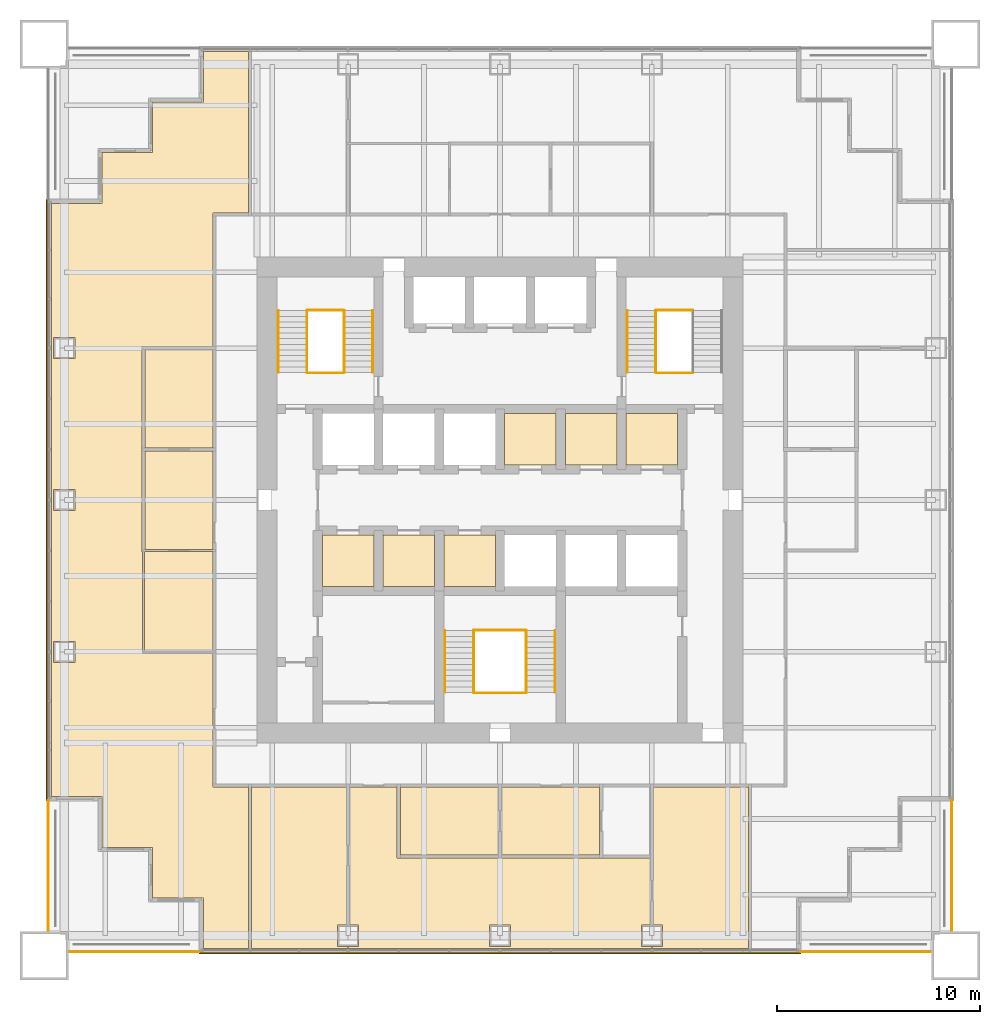
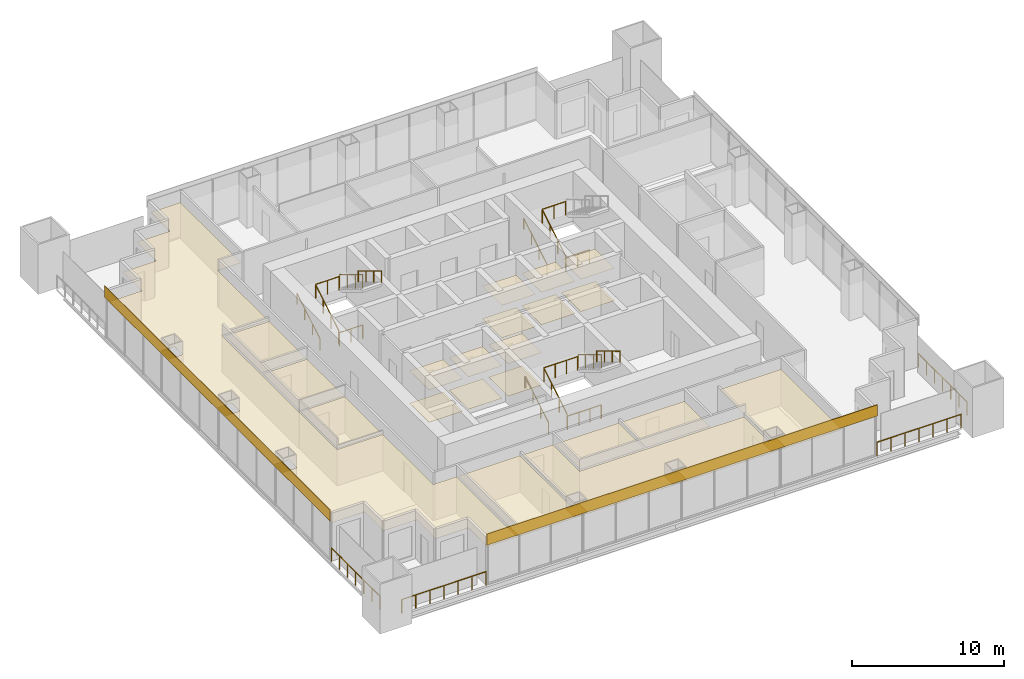
# One storey, part 12 of 13: 23 coverings, 20 railings.
"""IFC4 building model written with IfcOpenShell, lengths in metres."""

from ifc_helpers import new_model, si_unit, direction, frame, origin, origin_2d, place, context, subcontext, project, spatial, polyline, rectangle, circle, outline, extrude, material, layer, layer_set, type_object, element, save


model = new_model("IFC4")

# Units and contexts
model_context = context("Model", 3, precision=1e-05, world=origin(), true_north=direction((0.0, 1.0)))
body_context = subcontext(model_context, "Body", "Model", "MODEL_VIEW")
ifc_project = project(units=[si_unit("LENGTHUNIT", "METRE"), si_unit("AREAUNIT", "SQUARE_METRE"), si_unit("VOLUMEUNIT", "CUBIC_METRE"), si_unit("PLANEANGLEUNIT", "RADIAN"), si_unit("MASSUNIT", "GRAM", prefix="KILO")], contexts=[model_context])

# Site, building, storey
site_placement = place(None, origin())
site = spatial("IfcSite", under=ifc_project, at=site_placement, CompositionType="ELEMENT")
building_placement = place(site_placement, origin())
building = spatial("IfcBuilding", under=site, at=building_placement, Name="Tarangal Relay Tower", CompositionType="ELEMENT")
storey_placement = place(building_placement, frame((0.0, 0.0, 209.89990234375)))
storey = spatial("IfcBuildingStorey", under=building, at=storey_placement, Name="L44", CompositionType="ELEMENT", Elevation=209.89990234375)

# Coverings
ifc_material_1 = material(Name="Anti-static vinyl flooring", Category="plastic")
ifc_layer_1 = layer(ifc_material_1, 0.010009765625)
ifc_layer_set_1 = layer_set([ifc_layer_1], Name="Anti-static vinyl floor")
covering_type_1 = type_object("IfcCoveringType", Name="Anti-static vinyl floor", PredefinedType="FLOORING", material=ifc_layer_set_1)
covering_1_placement = place(storey_placement, origin())
element("IfcCovering", 1, at=covering_1_placement, inside=storey, type_object=covering_type_1, Name="Floor finish FL1 L44-T1", PredefinedType="FLOORING", context=body_context, shape_type="SweptSolid", body=[
    extrude(outline(polyline([(0.22509765625, 1.72509765625), (2.77490234375, 1.72509765625), (2.77490234375, 4.27490234375), (0.22509765625, 4.27490234375), (0.22509765625, 1.72509765625)])), origin(), (0.0, 0.0, 1.0), 0.010009765625),
])
covering_2_placement = place(storey_placement, origin())
element("IfcCovering", 2, at=covering_2_placement, inside=storey, type_object=covering_type_1, Name="Floor finish FL1 L44-T2", PredefinedType="FLOORING", context=body_context, shape_type="SweptSolid", body=[
    extrude(outline(polyline([(3.22509765625, 1.72509765625), (5.77490234375, 1.72509765625), (5.77490234375, 4.27490234375), (3.22509765625, 4.27490234375), (3.22509765625, 1.72509765625)])), origin(), (0.0, 0.0, 1.0), 0.010009765625),
])
covering_3_placement = place(storey_placement, origin())
element("IfcCovering", 3, at=covering_3_placement, inside=storey, type_object=covering_type_1, Name="Floor finish FL1 L44-T3", PredefinedType="FLOORING", context=body_context, shape_type="SweptSolid", body=[
    extrude(outline(polyline([(6.22509765625, 1.72509765625), (8.77490234375, 1.72509765625), (8.77490234375, 4.27490234375), (6.22509765625, 4.27490234375), (6.22509765625, 1.72509765625)])), origin(), (0.0, 0.0, 1.0), 0.010009765625),
])
covering_4_placement = place(storey_placement, origin())
element("IfcCovering", 4, at=covering_4_placement, inside=storey, type_object=covering_type_1, Name="Floor finish FL1 L44-S1", PredefinedType="FLOORING", context=body_context, shape_type="SweptSolid", body=[
    extrude(outline(polyline([(-8.77490234375, -4.27490234375), (-6.22509765625, -4.27490234375), (-6.22509765625, -1.72509765625), (-8.77490234375, -1.72509765625), (-8.77490234375, -4.27490234375)])), origin(), (0.0, 0.0, 1.0), 0.010009765625),
])
covering_5_placement = place(storey_placement, origin())
element("IfcCovering", 5, at=covering_5_placement, inside=storey, type_object=covering_type_1, Name="Floor finish FL1 L44-S2", PredefinedType="FLOORING", context=body_context, shape_type="SweptSolid", body=[
    extrude(outline(polyline([(-5.77490234375, -4.27490234375), (-3.22509765625, -4.27490234375), (-3.22509765625, -1.72509765625), (-5.77490234375, -1.72509765625), (-5.77490234375, -4.27490234375)])), origin(), (0.0, 0.0, 1.0), 0.010009765625),
])
covering_6_placement = place(storey_placement, origin())
element("IfcCovering", 6, at=covering_6_placement, inside=storey, type_object=covering_type_1, Name="Floor finish FL1 L44-S3", PredefinedType="FLOORING", context=body_context, shape_type="SweptSolid", body=[
    extrude(outline(polyline([(-2.77490234375, -4.27490234375), (-0.22509765625, -4.27490234375), (-0.22509765625, -1.72509765625), (-2.77490234375, -1.72509765625), (-2.77490234375, -4.27490234375)])), origin(), (0.0, 0.0, 1.0), 0.010009765625),
])
ifc_material_2 = material(Name="Black anodised aluminium cladding", Category="aluminium")
ifc_layer_2 = layer(ifc_material_2, 0.050048828125)
ifc_layer_set_2 = layer_set([ifc_layer_2], Name="Black metal spandrel band")
covering_type_2 = type_object("IfcCoveringType", Name="Black metal spandrel band", PredefinedType="CLADDING", material=ifc_layer_set_2)
for number, where, z_axis, x_axis, name in (
    (7, (0.0, -22.375, 3.250244140625), (0.0, 0.0, 1.0), (-1.0, 0.0, 0.0), "Spandrel band SB1 S L44"),
    (8, (-22.375, 0.0, 3.250244140625), (0.0, 0.0, 1.0), (0.0, 1.0, 0.0), "Spandrel band SB1 W L44"),
):
    element("IfcCovering", number, at=place(storey_placement, frame(where, z_axis=z_axis, x_axis=x_axis)), inside=storey, type_object=covering_type_2, Name=name, PredefinedType="CLADDING", context=body_context, shape_type="SweptSolid", body=[
        extrude(rectangle(XDim=29.699951171875, YDim=0.050048828125, at=origin_2d()), origin(), (0.0, 0.0, 1.0), 0.89990234375),
    ])

# Railings
ifc_material_3 = material(Name="Steel guard, black finish", Category="steel")
railing_type_1 = type_object("IfcRailingType", Name="Stair guard 1100", PredefinedType="GUARDRAIL", material=ifc_material_3)
railing_1_placement = place(storey_placement, frame((-9.530029296875, 6.300048828125, 0.166748046875)))
element("IfcRailing", 9, at=railing_1_placement, inside=storey, type_object=railing_type_1, Name="Stair ST-A guard GR1 L44 flight 1", PredefinedType="GUARDRAIL", context=body_context, shape_type="SweptSolid", body=[
    extrude(circle(Radius=0.02392578125, at=origin_2d()), frame((0.0, 0.0, 1.076171875), z_axis=(0.0, 0.85685617095, 0.515555527858), x_axis=(-1.0, 0.0, 0.0)), (0.0, 0.0, 1.0), 3.555908203125),
    extrude(circle(Radius=0.02099609375, at=origin_2d()), origin(), (0.0, 0.0, 1.0), 1.052001953125),
    extrude(circle(Radius=0.02099609375, at=origin_2d()), frame((0.0, 1.015625, 0.611083984375)), (0.0, 0.0, 1.0), 1.052001953125),
    extrude(circle(Radius=0.02099609375, at=origin_2d()), frame((0.0, 2.03125, 1.22216796875)), (0.0, 0.0, 1.0), 1.052001953125),
    extrude(circle(Radius=0.02099609375, at=origin_2d()), frame((0.0, 3.046875, 1.833251953125)), (0.0, 0.0, 1.0), 1.052001953125),
])
railing_2_placement = place(storey_placement, frame((-7.695068359375, 9.346923828125, 2.166748046875)))
element("IfcRailing", 10, at=railing_2_placement, inside=storey, type_object=railing_type_1, Name="Stair ST-A guard GR1 L44 flight 2", PredefinedType="GUARDRAIL", context=body_context, shape_type="SweptSolid", body=[
    extrude(circle(Radius=0.02392578125, at=origin_2d()), frame((0.0, 0.0, 1.076171875), z_axis=(0.0, -0.85685617095, 0.515555527858), x_axis=(1.0, 0.0, 0.0)), (0.0, 0.0, 1.0), 3.555908203125),
    extrude(circle(Radius=0.02099609375, at=origin_2d()), origin(), (0.0, 0.0, 1.0), 1.052001953125),
    extrude(circle(Radius=0.02099609375, at=origin_2d()), frame((0.0, -1.015625, 0.611083984375)), (0.0, 0.0, 1.0), 1.052001953125),
    extrude(circle(Radius=0.02099609375, at=origin_2d()), frame((0.0, -2.03125, 1.22216796875)), (0.0, 0.0, 1.0), 1.052001953125),
    extrude(circle(Radius=0.02099609375, at=origin_2d()), frame((0.0, -3.046875, 1.833251953125)), (0.0, 0.0, 1.0), 1.052001953125),
])
for number, where, name in (
    (11, (-9.5, 6.27001953125, 0.0), "Stair ST-A landing guard GR1 L44"),
    (12, (-9.5, 9.376953125, 2.0), "Stair ST-A landing guard GR1 L44"),
):
    element("IfcRailing", number, at=place(storey_placement, frame(where)), inside=storey, type_object=railing_type_1, Name=name, PredefinedType="GUARDRAIL", context=body_context, shape_type="SweptSolid", body=[
        extrude(circle(Radius=0.02392578125, at=origin_2d()), frame((0.0, 0.0, 1.076171875), z_axis=(1.0, 0.0, 0.0), x_axis=(0.0, 1.0, 0.0)), (0.0, 0.0, 1.0), 1.77490234375),
        extrude(circle(Radius=0.02099609375, at=origin_2d()), origin(), (0.0, 0.0, 1.0), 1.052001953125),
        extrude(circle(Radius=0.02099609375, at=origin_2d()), frame((0.887451171875, 0.0, 0.0)), (0.0, 0.0, 1.0), 1.052001953125),
        extrude(circle(Radius=0.02099609375, at=origin_2d()), frame((1.77490234375, 0.0, 0.0)), (0.0, 0.0, 1.0), 1.052001953125),
    ])
railing_3_placement = place(storey_placement, frame((7.695068359375, 6.300048828125, 0.166748046875)))
element("IfcRailing", 13, at=railing_3_placement, inside=storey, type_object=railing_type_1, Name="Stair ST-B guard GR1 L44 flight 1", PredefinedType="GUARDRAIL", context=body_context, shape_type="SweptSolid", body=[
    extrude(circle(Radius=0.02392578125, at=origin_2d()), frame((0.0, 0.0, 1.076171875), z_axis=(0.0, 0.85685617095, 0.515555527858), x_axis=(-1.0, 0.0, 0.0)), (0.0, 0.0, 1.0), 3.555908203125),
    extrude(circle(Radius=0.02099609375, at=origin_2d()), origin(), (0.0, 0.0, 1.0), 1.052001953125),
    extrude(circle(Radius=0.02099609375, at=origin_2d()), frame((0.0, 1.015625, 0.611083984375)), (0.0, 0.0, 1.0), 1.052001953125),
    extrude(circle(Radius=0.02099609375, at=origin_2d()), frame((0.0, 2.03125, 1.22216796875)), (0.0, 0.0, 1.0), 1.052001953125),
    extrude(circle(Radius=0.02099609375, at=origin_2d()), frame((0.0, 3.046875, 1.833251953125)), (0.0, 0.0, 1.0), 1.052001953125),
])
for number, where, name in (
    (14, (7.72509765625, 6.27001953125, 0.0), "Stair ST-B landing guard GR1 L44"),
    (15, (7.72509765625, 9.376953125, 2.0), "Stair ST-B landing guard GR1 L44"),
):
    element("IfcRailing", number, at=place(storey_placement, frame(where)), inside=storey, type_object=railing_type_1, Name=name, PredefinedType="GUARDRAIL", context=body_context, shape_type="SweptSolid", body=[
        extrude(circle(Radius=0.02392578125, at=origin_2d()), frame((0.0, 0.0, 1.076171875), z_axis=(1.0, 0.0, 0.0), x_axis=(0.0, 1.0, 0.0)), (0.0, 0.0, 1.0), 1.77490234375),
        extrude(circle(Radius=0.02099609375, at=origin_2d()), origin(), (0.0, 0.0, 1.0), 1.052001953125),
        extrude(circle(Radius=0.02099609375, at=origin_2d()), frame((0.887451171875, 0.0, 0.0)), (0.0, 0.0, 1.0), 1.052001953125),
        extrude(circle(Radius=0.02099609375, at=origin_2d()), frame((1.77490234375, 0.0, 0.0)), (0.0, 0.0, 1.0), 1.052001953125),
    ])
railing_4_placement = place(storey_placement, frame((-1.304931640625, -9.5, 0.166748046875)))
element("IfcRailing", 16, at=railing_4_placement, inside=storey, type_object=railing_type_1, Name="Stair ST-C guard GR1 L44 flight 1", PredefinedType="GUARDRAIL", context=body_context, shape_type="SweptSolid", body=[
    extrude(circle(Radius=0.02392578125, at=origin_2d()), frame((0.0, 0.0, 1.076171875), z_axis=(0.0, 0.856874418557, 0.515525199018), x_axis=(-1.0, 0.0, 0.0)), (0.0, 0.0, 1.0), 3.55615234375),
    extrude(circle(Radius=0.02099609375, at=origin_2d()), origin(), (0.0, 0.0, 1.0), 1.052001953125),
    extrude(circle(Radius=0.02099609375, at=origin_2d()), frame((0.0, 1.015625, 0.611083984375)), (0.0, 0.0, 1.0), 1.052001953125),
    extrude(circle(Radius=0.02099609375, at=origin_2d()), frame((0.0, 2.031494140625, 1.22216796875)), (0.0, 0.0, 1.0), 1.052001953125),
    extrude(circle(Radius=0.02099609375, at=origin_2d()), frame((0.0, 3.047119140625, 1.833251953125)), (0.0, 0.0, 1.0), 1.052001953125),
])
railing_5_placement = place(storey_placement, frame((1.304931640625, -6.452880859375, 2.166748046875)))
element("IfcRailing", 17, at=railing_5_placement, inside=storey, type_object=railing_type_1, Name="Stair ST-C guard GR1 L44 flight 2", PredefinedType="GUARDRAIL", context=body_context, shape_type="SweptSolid", body=[
    extrude(circle(Radius=0.02392578125, at=origin_2d()), frame((0.0, 0.0, 1.076171875), z_axis=(0.0, -0.856874418557, 0.515525199018), x_axis=(1.0, 0.0, 0.0)), (0.0, 0.0, 1.0), 3.55615234375),
    extrude(circle(Radius=0.02099609375, at=origin_2d()), origin(), (0.0, 0.0, 1.0), 1.052001953125),
    extrude(circle(Radius=0.02099609375, at=origin_2d()), frame((0.0, -1.015625, 0.611083984375)), (0.0, 0.0, 1.0), 1.052001953125),
    extrude(circle(Radius=0.02099609375, at=origin_2d()), frame((0.0, -2.031494140625, 1.22216796875)), (0.0, 0.0, 1.0), 1.052001953125),
    extrude(circle(Radius=0.02099609375, at=origin_2d()), frame((0.0, -3.047119140625, 1.833251953125)), (0.0, 0.0, 1.0), 1.052001953125),
])
for number, where, name in (
    (18, (-1.27490234375, -9.530029296875, 0.0), "Stair ST-C landing guard GR1 L44"),
    (19, (-1.27490234375, -6.423095703125, 2.0), "Stair ST-C landing guard GR1 L44"),
):
    element("IfcRailing", number, at=place(storey_placement, frame(where)), inside=storey, type_object=railing_type_1, Name=name, PredefinedType="GUARDRAIL", context=body_context, shape_type="SweptSolid", body=[
        extrude(circle(Radius=0.02392578125, at=origin_2d()), frame((0.0, 0.0, 1.076171875), z_axis=(1.0, 0.0, 0.0), x_axis=(0.0, 1.0, 0.0)), (0.0, 0.0, 1.0), 2.5498046875),
        extrude(circle(Radius=0.02099609375, at=origin_2d()), origin(), (0.0, 0.0, 1.0), 1.052001953125),
        extrude(circle(Radius=0.02099609375, at=origin_2d()), frame((0.849853515625, 0.0, 0.0)), (0.0, 0.0, 1.0), 1.052001953125),
        extrude(circle(Radius=0.02099609375, at=origin_2d()), frame((1.699951171875, 0.0, 0.0)), (0.0, 0.0, 1.0), 1.052001953125),
        extrude(circle(Radius=0.02099609375, at=origin_2d()), frame((2.5498046875, 0.0, 0.0)), (0.0, 0.0, 1.0), 1.052001953125),
    ])
ifc_material_4 = material(Name="Steel handrail, black finish", Category="steel")
railing_type_2 = type_object("IfcRailingType", Name="Stair handrail 900", PredefinedType="HANDRAIL", material=ifc_material_4)
railing_6_placement = place(storey_placement, frame((-10.93994140625, 6.300048828125, 0.166748046875)))
element("IfcRailing", 20, at=railing_6_placement, inside=storey, type_object=railing_type_2, Name="Stair ST-A handrail HR1 L44 flight 1", PredefinedType="HANDRAIL", context=body_context, shape_type="SweptSolid", body=[
    extrude(circle(Radius=0.02392578125, at=origin_2d()), frame((0.0, 0.0, 0.8759765625), z_axis=(0.0, 0.85685617095, 0.515555527858), x_axis=(-1.0, 0.0, 0.0)), (0.0, 0.0, 1.0), 3.555908203125),
    extrude(circle(Radius=0.02099609375, at=origin_2d()), origin(), (0.0, 0.0, 1.0), 0.851806640625),
    extrude(circle(Radius=0.02099609375, at=origin_2d()), frame((0.0, 1.015625, 0.611083984375)), (0.0, 0.0, 1.0), 0.851806640625),
    extrude(circle(Radius=0.02099609375, at=origin_2d()), frame((0.0, 2.03125, 1.22216796875)), (0.0, 0.0, 1.0), 0.851806640625),
    extrude(circle(Radius=0.02099609375, at=origin_2d()), frame((0.0, 3.046875, 1.833251953125)), (0.0, 0.0, 1.0), 0.851806640625),
])
railing_7_placement = place(storey_placement, frame((-6.284912109375, 9.346923828125, 2.166748046875)))
element("IfcRailing", 21, at=railing_7_placement, inside=storey, type_object=railing_type_2, Name="Stair ST-A handrail HR1 L44 flight 2", PredefinedType="HANDRAIL", context=body_context, shape_type="SweptSolid", body=[
    extrude(circle(Radius=0.02392578125, at=origin_2d()), frame((0.0, 0.0, 0.8759765625), z_axis=(0.0, -0.85685617095, 0.515555527858), x_axis=(1.0, 0.0, 0.0)), (0.0, 0.0, 1.0), 3.555908203125),
    extrude(circle(Radius=0.02099609375, at=origin_2d()), origin(), (0.0, 0.0, 1.0), 0.851806640625),
    extrude(circle(Radius=0.02099609375, at=origin_2d()), frame((0.0, -1.015625, 0.611083984375)), (0.0, 0.0, 1.0), 0.851806640625),
    extrude(circle(Radius=0.02099609375, at=origin_2d()), frame((0.0, -2.03125, 1.22216796875)), (0.0, 0.0, 1.0), 0.851806640625),
    extrude(circle(Radius=0.02099609375, at=origin_2d()), frame((0.0, -3.046875, 1.833251953125)), (0.0, 0.0, 1.0), 0.851806640625),
])
railing_8_placement = place(storey_placement, frame((6.284912109375, 6.300048828125, 0.166748046875)))
element("IfcRailing", 22, at=railing_8_placement, inside=storey, type_object=railing_type_2, Name="Stair ST-B handrail HR1 L44 flight 1", PredefinedType="HANDRAIL", context=body_context, shape_type="SweptSolid", body=[
    extrude(circle(Radius=0.02392578125, at=origin_2d()), frame((0.0, 0.0, 0.8759765625), z_axis=(0.0, 0.85685617095, 0.515555527858), x_axis=(-1.0, 0.0, 0.0)), (0.0, 0.0, 1.0), 3.555908203125),
    extrude(circle(Radius=0.02099609375, at=origin_2d()), origin(), (0.0, 0.0, 1.0), 0.851806640625),
    extrude(circle(Radius=0.02099609375, at=origin_2d()), frame((0.0, 1.015625, 0.611083984375)), (0.0, 0.0, 1.0), 0.851806640625),
    extrude(circle(Radius=0.02099609375, at=origin_2d()), frame((0.0, 2.03125, 1.22216796875)), (0.0, 0.0, 1.0), 0.851806640625),
    extrude(circle(Radius=0.02099609375, at=origin_2d()), frame((0.0, 3.046875, 1.833251953125)), (0.0, 0.0, 1.0), 0.851806640625),
])
railing_9_placement = place(storey_placement, frame((-2.715087890625, -9.5, 0.166748046875)))
element("IfcRailing", 23, at=railing_9_placement, inside=storey, type_object=railing_type_2, Name="Stair ST-C handrail HR1 L44 flight 1", PredefinedType="HANDRAIL", context=body_context, shape_type="SweptSolid", body=[
    extrude(circle(Radius=0.02392578125, at=origin_2d()), frame((0.0, 0.0, 0.8759765625), z_axis=(0.0, 0.856874418557, 0.515525199018), x_axis=(-1.0, 0.0, 0.0)), (0.0, 0.0, 1.0), 3.55615234375),
    extrude(circle(Radius=0.02099609375, at=origin_2d()), origin(), (0.0, 0.0, 1.0), 0.851806640625),
    extrude(circle(Radius=0.02099609375, at=origin_2d()), frame((0.0, 1.015625, 0.611083984375)), (0.0, 0.0, 1.0), 0.851806640625),
    extrude(circle(Radius=0.02099609375, at=origin_2d()), frame((0.0, 2.031494140625, 1.22216796875)), (0.0, 0.0, 1.0), 0.851806640625),
    extrude(circle(Radius=0.02099609375, at=origin_2d()), frame((0.0, 3.047119140625, 1.833251953125)), (0.0, 0.0, 1.0), 0.851806640625),
])
railing_10_placement = place(storey_placement, frame((2.715087890625, -6.452880859375, 2.166748046875)))
element("IfcRailing", 24, at=railing_10_placement, inside=storey, type_object=railing_type_2, Name="Stair ST-C handrail HR1 L44 flight 2", PredefinedType="HANDRAIL", context=body_context, shape_type="SweptSolid", body=[
    extrude(circle(Radius=0.02392578125, at=origin_2d()), frame((0.0, 0.0, 0.8759765625), z_axis=(0.0, -0.856874418557, 0.515525199018), x_axis=(1.0, 0.0, 0.0)), (0.0, 0.0, 1.0), 3.55615234375),
    extrude(circle(Radius=0.02099609375, at=origin_2d()), origin(), (0.0, 0.0, 1.0), 0.851806640625),
    extrude(circle(Radius=0.02099609375, at=origin_2d()), frame((0.0, -1.015625, 0.611083984375)), (0.0, 0.0, 1.0), 0.851806640625),
    extrude(circle(Radius=0.02099609375, at=origin_2d()), frame((0.0, -2.031494140625, 1.22216796875)), (0.0, 0.0, 1.0), 0.851806640625),
    extrude(circle(Radius=0.02099609375, at=origin_2d()), frame((0.0, -3.047119140625, 1.833251953125)), (0.0, 0.0, 1.0), 0.851806640625),
])

# Coverings
ifc_material_5 = material(Name="Mineral fibre ceiling tiles", Category="gypsum")
ifc_layer_3 = layer(ifc_material_5, 0.02001953125)
ifc_layer_set_3 = layer_set([ifc_layer_3], Name="Suspended ceiling")
covering_type_3 = type_object("IfcCoveringType", Name="Suspended ceiling", PredefinedType="CEILING", material=ifc_layer_set_3)
covering_7_placement = place(storey_placement, frame((0.0, 0.0, 2.60009765625)))
element("IfcCovering", 25, at=covering_7_placement, inside=storey, type_object=covering_type_3, Name="Suspended ceiling CL1 L44-T1", PredefinedType="CEILING", context=body_context, shape_type="SweptSolid", body=[
    extrude(outline(polyline([(0.22509765625, 1.72509765625), (2.77490234375, 1.72509765625), (2.77490234375, 4.27490234375), (0.22509765625, 4.27490234375), (0.22509765625, 1.72509765625)])), origin(), (0.0, 0.0, 1.0), 0.02001953125),
])
covering_8_placement = place(storey_placement, frame((0.0, 0.0, 2.60009765625)))
element("IfcCovering", 26, at=covering_8_placement, inside=storey, type_object=covering_type_3, Name="Suspended ceiling CL1 L44-T2", PredefinedType="CEILING", context=body_context, shape_type="SweptSolid", body=[
    extrude(outline(polyline([(3.22509765625, 1.72509765625), (5.77490234375, 1.72509765625), (5.77490234375, 4.27490234375), (3.22509765625, 4.27490234375), (3.22509765625, 1.72509765625)])), origin(), (0.0, 0.0, 1.0), 0.02001953125),
])
covering_9_placement = place(storey_placement, frame((0.0, 0.0, 2.60009765625)))
element("IfcCovering", 27, at=covering_9_placement, inside=storey, type_object=covering_type_3, Name="Suspended ceiling CL1 L44-T3", PredefinedType="CEILING", context=body_context, shape_type="SweptSolid", body=[
    extrude(outline(polyline([(6.22509765625, 1.72509765625), (8.77490234375, 1.72509765625), (8.77490234375, 4.27490234375), (6.22509765625, 4.27490234375), (6.22509765625, 1.72509765625)])), origin(), (0.0, 0.0, 1.0), 0.02001953125),
])
covering_10_placement = place(storey_placement, frame((0.0, 0.0, 2.60009765625)))
element("IfcCovering", 28, at=covering_10_placement, inside=storey, type_object=covering_type_3, Name="Suspended ceiling CL1 L44-S1", PredefinedType="CEILING", context=body_context, shape_type="SweptSolid", body=[
    extrude(outline(polyline([(-8.77490234375, -4.27490234375), (-6.22509765625, -4.27490234375), (-6.22509765625, -1.72509765625), (-8.77490234375, -1.72509765625), (-8.77490234375, -4.27490234375)])), origin(), (0.0, 0.0, 1.0), 0.02001953125),
])
covering_11_placement = place(storey_placement, frame((0.0, 0.0, 2.60009765625)))
element("IfcCovering", 29, at=covering_11_placement, inside=storey, type_object=covering_type_3, Name="Suspended ceiling CL1 L44-S2", PredefinedType="CEILING", context=body_context, shape_type="SweptSolid", body=[
    extrude(outline(polyline([(-5.77490234375, -4.27490234375), (-3.22509765625, -4.27490234375), (-3.22509765625, -1.72509765625), (-5.77490234375, -1.72509765625), (-5.77490234375, -4.27490234375)])), origin(), (0.0, 0.0, 1.0), 0.02001953125),
])
covering_12_placement = place(storey_placement, frame((0.0, 0.0, 2.60009765625)))
element("IfcCovering", 30, at=covering_12_placement, inside=storey, type_object=covering_type_3, Name="Suspended ceiling CL1 L44-S3", PredefinedType="CEILING", context=body_context, shape_type="SweptSolid", body=[
    extrude(outline(polyline([(-2.77490234375, -4.27490234375), (-0.22509765625, -4.27490234375), (-0.22509765625, -1.72509765625), (-2.77490234375, -1.72509765625), (-2.77490234375, -4.27490234375)])), origin(), (0.0, 0.0, 1.0), 0.02001953125),
])
covering_13_placement = place(storey_placement, frame((0.0, 0.0, 2.900146484375)))
element("IfcCovering", 31, at=covering_13_placement, inside=storey, type_object=covering_type_3, Name="Suspended ceiling CL1 L44-09", PredefinedType="CEILING", context=body_context, shape_type="SweptSolid", body=[
    extrude(outline(polyline([(7.5, -22.14990234375), (12.258056640625, -22.14990234375), (12.258056640625, -14.175048828125), (7.574951171875, -14.175048828125), (7.574951171875, -20.989990234375), (8.02490234375, -20.989990234375), (8.02490234375, -22.0400390625), (7.5, -22.0400390625), (7.5, -22.14990234375)])), origin(), (0.0, 0.0, 1.0), 0.02001953125),
])
covering_14_placement = place(storey_placement, frame((0.0, 0.0, 2.900146484375)))
element("IfcCovering", 32, at=covering_14_placement, inside=storey, type_object=covering_type_3, Name="Suspended ceiling CL1 L44-11", PredefinedType="CEILING", context=body_context, shape_type="SweptSolid", body=[
    extrude(outline(polyline([(-7.5, -22.14990234375), (7.5, -22.14990234375), (7.5, -22.0400390625), (6.97509765625, -22.0400390625), (6.97509765625, -20.989990234375), (7.425048828125, -20.989990234375), (7.425048828125, -17.675048828125), (-5.074951171875, -17.675048828125), (-5.074951171875, -14.175048828125), (-7.425048828125, -14.175048828125), (-7.425048828125, -20.989990234375), (-6.97509765625, -20.989990234375), (-6.97509765625, -22.0400390625), (-7.5, -22.0400390625), (-7.5, -22.14990234375)]), holes=[polyline([(-0.52490234375, -22.0400390625), (0.52490234375, -22.0400390625), (0.52490234375, -20.989990234375), (-0.52490234375, -20.989990234375), (-0.52490234375, -22.0400390625)])]), origin(), (0.0, 0.0, 1.0), 0.02001953125),
])
covering_15_placement = place(storey_placement, frame((0.0, 0.0, 2.900146484375)))
element("IfcCovering", 33, at=covering_15_placement, inside=storey, type_object=covering_type_3, Name="Suspended ceiling CL1 L44-12", PredefinedType="CEILING", context=body_context, shape_type="SweptSolid", body=[
    extrude(outline(polyline([(0.074951171875, -14.175048828125), (0.074951171875, -17.52490234375), (4.925048828125, -17.52490234375), (4.925048828125, -14.175048828125), (0.074951171875, -14.175048828125)])), origin(), (0.0, 0.0, 1.0), 0.02001953125),
])
covering_16_placement = place(storey_placement, frame((0.0, 0.0, 2.900146484375)))
element("IfcCovering", 34, at=covering_16_placement, inside=storey, type_object=covering_type_3, Name="Suspended ceiling CL1 L44-13", PredefinedType="CEILING", context=body_context, shape_type="SweptSolid", body=[
    extrude(outline(polyline([(-0.074951171875, -14.175048828125), (-4.925048828125, -14.175048828125), (-4.925048828125, -17.52490234375), (-0.074951171875, -17.52490234375), (-0.074951171875, -14.175048828125)])), origin(), (0.0, 0.0, 1.0), 0.02001953125),
])
covering_17_placement = place(storey_placement, frame((0.0, 0.0, 2.900146484375)))
element("IfcCovering", 35, at=covering_17_placement, inside=storey, type_object=covering_type_3, Name="Suspended ceiling CL1 L44-14", PredefinedType="CEILING", context=body_context, shape_type="SweptSolid", body=[
    extrude(outline(polyline([(-7.5, -22.14990234375), (-7.5, -22.0400390625), (-8.02490234375, -22.0400390625), (-8.02490234375, -20.989990234375), (-7.574951171875, -20.989990234375), (-7.574951171875, -14.175048828125), (-12.258056640625, -14.175048828125), (-12.258056640625, -22.14990234375), (-7.5, -22.14990234375)])), origin(), (0.0, 0.0, 1.0), 0.02001953125),
])
covering_18_placement = place(storey_placement, frame((0.0, 0.0, 2.900146484375)))
element("IfcCovering", 36, at=covering_18_placement, inside=storey, type_object=covering_type_3, Name="Suspended ceiling CL1 L44-15", PredefinedType="CEILING", context=body_context, shape_type="SweptSolid", body=[
    extrude(outline(polyline([(-17.52490234375, -2.574951171875), (-17.550048828125, -2.574951171875), (-17.550048828125, -7.449951171875), (-14.175048828125, -7.449951171875), (-14.175048828125, -2.550048828125), (-17.52490234375, -2.550048828125), (-17.52490234375, -2.574951171875)])), origin(), (0.0, 0.0, 1.0), 0.02001953125),
])
covering_19_placement = place(storey_placement, frame((0.0, 0.0, 2.900146484375)))
element("IfcCovering", 37, at=covering_19_placement, inside=storey, type_object=covering_type_3, Name="Suspended ceiling CL1 L44-16", PredefinedType="CEILING", context=body_context, shape_type="SweptSolid", body=[
    extrude(outline(polyline([(-14.175048828125, 2.425048828125), (-17.52490234375, 2.425048828125), (-17.52490234375, -2.449951171875), (-14.175048828125, -2.449951171875), (-14.175048828125, 2.425048828125)])), origin(), (0.0, 0.0, 1.0), 0.02001953125),
])
covering_20_placement = place(storey_placement, frame((0.0, 0.0, 2.900146484375)))
element("IfcCovering", 38, at=covering_20_placement, inside=storey, type_object=covering_type_3, Name="Suspended ceiling CL1 L44-17", PredefinedType="CEILING", context=body_context, shape_type="SweptSolid", body=[
    extrude(outline(polyline([(-14.175048828125, 2.574951171875), (-14.175048828125, 7.425048828125), (-17.52490234375, 7.425048828125), (-17.52490234375, 2.574951171875), (-14.175048828125, 2.574951171875)])), origin(), (0.0, 0.0, 1.0), 0.02001953125),
])
covering_21_placement = place(storey_placement, frame((0.0, 0.0, 2.900146484375)))
element("IfcCovering", 39, at=covering_21_placement, inside=storey, type_object=covering_type_3, Name="Suspended ceiling CL1 L44-20", PredefinedType="CEILING", context=body_context, shape_type="SweptSolid", body=[
    extrude(outline(polyline([(-14.64990234375, -22.14990234375), (-12.407958984375, -22.14990234375), (-12.407958984375, -14.175048828125), (-14.175048828125, -14.175048828125), (-14.175048828125, -7.550048828125), (-17.64990234375, -7.550048828125), (-17.64990234375, -2.574951171875), (-17.675048828125, -2.574951171875), (-17.675048828125, 7.574951171875), (-14.175048828125, 7.574951171875), (-14.175048828125, 14.175048828125), (-12.407958984375, 14.175048828125), (-12.407958984375, 22.14990234375), (-14.64990234375, 22.14990234375), (-14.64990234375, 19.64990234375), (-17.14990234375, 19.64990234375), (-17.14990234375, 17.14990234375), (-19.64990234375, 17.14990234375), (-19.64990234375, 14.64990234375), (-22.14990234375, 14.64990234375), (-22.14990234375, -14.64990234375), (-19.64990234375, -14.64990234375), (-19.64990234375, -17.14990234375), (-17.14990234375, -17.14990234375), (-17.14990234375, -19.64990234375), (-14.64990234375, -19.64990234375), (-14.64990234375, -22.14990234375)]), holes=[polyline([(-20.989990234375, -8.02490234375), (-20.989990234375, -6.97509765625), (-22.0400390625, -6.97509765625), (-22.0400390625, -8.02490234375), (-20.989990234375, -8.02490234375)]), polyline([(-22.0400390625, -0.52490234375), (-20.989990234375, -0.52490234375), (-20.989990234375, 0.52490234375), (-22.0400390625, 0.52490234375), (-22.0400390625, -0.52490234375)]), polyline([(-22.0400390625, 6.97509765625), (-20.989990234375, 6.97509765625), (-20.989990234375, 8.02490234375), (-22.0400390625, 8.02490234375), (-22.0400390625, 6.97509765625)])]), origin(), (0.0, 0.0, 1.0), 0.02001953125),
])

# Railings
ifc_material_6 = material(Name="Black steel guard with glass infill", Category="steel")
railing_type_3 = type_object("IfcRailingType", Name="Terrace guard 1100", PredefinedType="GUARDRAIL", material=ifc_material_6)
railing_11_placement = place(storey_placement, frame((22.300048828125, -14.85009765625, 0.0)))
element("IfcRailing", 40, at=railing_11_placement, inside=storey, type_object=railing_type_3, Name="Terrace guard GR2 SE L44", PredefinedType="GUARDRAIL", context=body_context, shape_type="SweptSolid", body=[
    extrude(circle(Radius=0.02392578125, at=origin_2d()), frame((0.0, 0.0, 1.076171875), z_axis=(0.0, -1.0, 0.0), x_axis=(1.0, 0.0, 0.0)), (0.0, 0.0, 1.0), 6.39990234375),
    extrude(circle(Radius=0.02099609375, at=origin_2d()), origin(), (0.0, 0.0, 1.0), 1.052001953125),
    extrude(circle(Radius=0.02099609375, at=origin_2d()), frame((0.0, -1.066650390625, 0.0)), (0.0, 0.0, 1.0), 1.052001953125),
    extrude(circle(Radius=0.02099609375, at=origin_2d()), frame((0.0, -2.13330078125, 0.0)), (0.0, 0.0, 1.0), 1.052001953125),
    extrude(circle(Radius=0.02099609375, at=origin_2d()), frame((0.0, -3.199951171875, 0.0)), (0.0, 0.0, 1.0), 1.052001953125),
    extrude(circle(Radius=0.02099609375, at=origin_2d()), frame((0.0, -4.2666015625, 0.0)), (0.0, 0.0, 1.0), 1.052001953125),
    extrude(circle(Radius=0.02099609375, at=origin_2d()), frame((0.0, -5.333251953125, 0.0)), (0.0, 0.0, 1.0), 1.052001953125),
    extrude(circle(Radius=0.02099609375, at=origin_2d()), frame((0.0, -6.39990234375, 0.0)), (0.0, 0.0, 1.0), 1.052001953125),
])
for number, where, name in (
    (41, (21.25, -22.300048828125, 0.0), "Terrace guard GR2 SE L44"),
    (42, (-14.85009765625, -22.300048828125, 0.0), "Terrace guard GR2 SW L44"),
):
    element("IfcRailing", number, at=place(storey_placement, frame(where)), inside=storey, type_object=railing_type_3, Name=name, PredefinedType="GUARDRAIL", context=body_context, shape_type="SweptSolid", body=[
        extrude(circle(Radius=0.02392578125, at=origin_2d()), frame((0.0, 0.0, 1.076171875), z_axis=(-1.0, 0.0, 0.0), x_axis=(0.0, -1.0, 0.0)), (0.0, 0.0, 1.0), 6.39990234375),
        extrude(circle(Radius=0.02099609375, at=origin_2d()), origin(), (0.0, 0.0, 1.0), 1.052001953125),
        extrude(circle(Radius=0.02099609375, at=origin_2d()), frame((-1.066650390625, 0.0, 0.0)), (0.0, 0.0, 1.0), 1.052001953125),
        extrude(circle(Radius=0.02099609375, at=origin_2d()), frame((-2.13330078125, 0.0, 0.0)), (0.0, 0.0, 1.0), 1.052001953125),
        extrude(circle(Radius=0.02099609375, at=origin_2d()), frame((-3.199951171875, 0.0, 0.0)), (0.0, 0.0, 1.0), 1.052001953125),
        extrude(circle(Radius=0.02099609375, at=origin_2d()), frame((-4.2666015625, 0.0, 0.0)), (0.0, 0.0, 1.0), 1.052001953125),
        extrude(circle(Radius=0.02099609375, at=origin_2d()), frame((-5.333251953125, 0.0, 0.0)), (0.0, 0.0, 1.0), 1.052001953125),
        extrude(circle(Radius=0.02099609375, at=origin_2d()), frame((-6.39990234375, 0.0, 0.0)), (0.0, 0.0, 1.0), 1.052001953125),
    ])
railing_12_placement = place(storey_placement, frame((-22.300048828125, -21.25, 0.0)))
element("IfcRailing", 43, at=railing_12_placement, inside=storey, type_object=railing_type_3, Name="Terrace guard GR2 SW L44", PredefinedType="GUARDRAIL", context=body_context, shape_type="SweptSolid", body=[
    extrude(circle(Radius=0.02392578125, at=origin_2d()), frame((0.0, 0.0, 1.076171875), z_axis=(0.0, 1.0, 0.0), x_axis=(-1.0, 0.0, 0.0)), (0.0, 0.0, 1.0), 6.39990234375),
    extrude(circle(Radius=0.02099609375, at=origin_2d()), origin(), (0.0, 0.0, 1.0), 1.052001953125),
    extrude(circle(Radius=0.02099609375, at=origin_2d()), frame((0.0, 1.066650390625, 0.0)), (0.0, 0.0, 1.0), 1.052001953125),
    extrude(circle(Radius=0.02099609375, at=origin_2d()), frame((0.0, 2.13330078125, 0.0)), (0.0, 0.0, 1.0), 1.052001953125),
    extrude(circle(Radius=0.02099609375, at=origin_2d()), frame((0.0, 3.199951171875, 0.0)), (0.0, 0.0, 1.0), 1.052001953125),
    extrude(circle(Radius=0.02099609375, at=origin_2d()), frame((0.0, 4.2666015625, 0.0)), (0.0, 0.0, 1.0), 1.052001953125),
    extrude(circle(Radius=0.02099609375, at=origin_2d()), frame((0.0, 5.333251953125, 0.0)), (0.0, 0.0, 1.0), 1.052001953125),
    extrude(circle(Radius=0.02099609375, at=origin_2d()), frame((0.0, 6.39990234375, 0.0)), (0.0, 0.0, 1.0), 1.052001953125),
])

save(model, "model.ifc")
